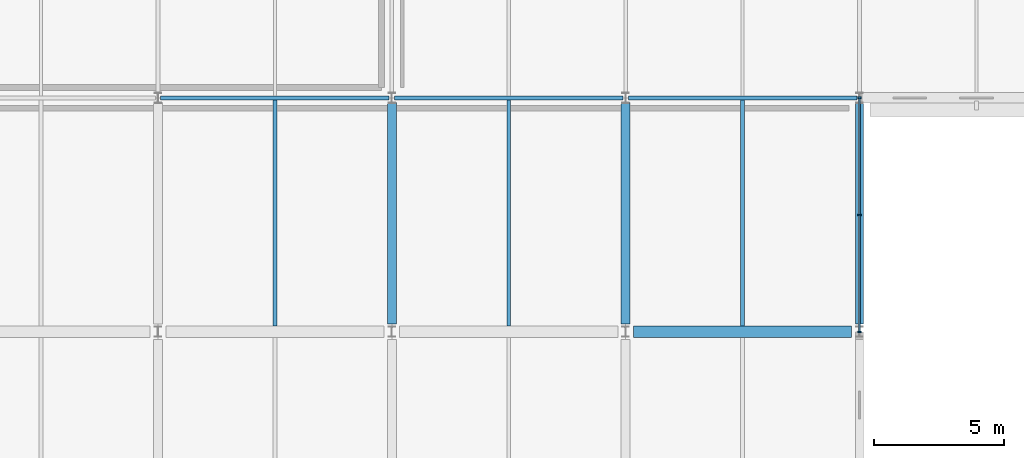
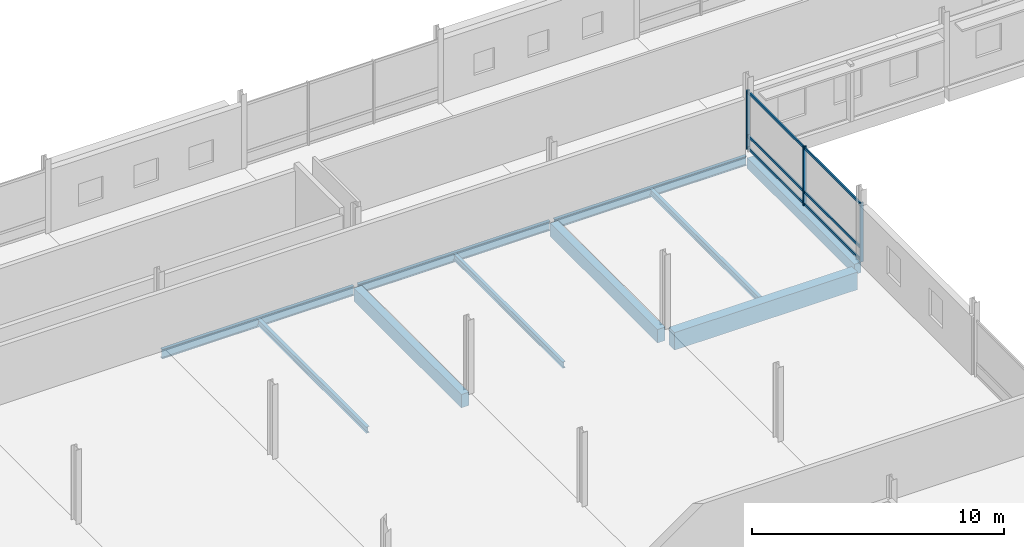
# One storey, part 51 of 132: 10 beams, 9 members, 1 element without a shape of its own.
"""IFC4 building model written with IfcOpenShell, lengths in metres."""

from ifc_helpers import new_model, si_unit, direction, frame, origin, origin_2d, place, context, subcontext, project, spatial, rectangle, i_section, extrude, material, material_profile, profile_set, type_object, element, aggregate, save


model = new_model("IFC4")

# Units and contexts
model_context = context("Model", 3, precision=1e-05, world=origin(), true_north=direction((0.0, 1.0)))
body_context = subcontext(model_context, "Body", "Model", "MODEL_VIEW")
ifc_project = project(units=[si_unit("LENGTHUNIT", "METRE"), si_unit("AREAUNIT", "SQUARE_METRE"), si_unit("VOLUMEUNIT", "CUBIC_METRE"), si_unit("PLANEANGLEUNIT", "RADIAN"), si_unit("MASSUNIT", "GRAM", prefix="KILO")], contexts=[model_context])

# Site, building, storey
site_placement = place(None, origin())
site = spatial("IfcSite", under=ifc_project, at=site_placement, CompositionType="ELEMENT")
building_placement = place(site_placement, origin())
building = spatial("IfcBuilding", under=site, at=building_placement, Name="Tharagai Park Tramway Depot", CompositionType="ELEMENT")
storey_placement = place(building_placement, frame((0.0, 0.0, 4.800048828125)))
storey = spatial("IfcBuildingStorey", under=building, at=storey_placement, Name="L01", CompositionType="ELEMENT", Elevation=4.800048828125)

# Beams
ifc_material_1 = material(Name="Steel E350", Category="steel")
ifc_material_profile_1 = material_profile(ifc_material_1, i_section(OverallWidth=0.14990234375, OverallDepth=0.449951171875, WebThickness=0.009521484375, FlangeThickness=0.017333984375, FilletRadius=0.014892578125, at=origin_2d()), Name="ISMB 450")
ifc_profile_set_1 = profile_set([ifc_material_profile_1], Name="Steel E350")
beam_type_1 = type_object("IfcBeamType", Name="BM-02", PredefinedType="BEAM", material=ifc_profile_set_1)
for number, where, z_axis, x_axis, name in (
    (1, (63.10009765625, 90.0, -0.505126953125), (1.0, 0.0, 0.0), (0.0, 1.0, 0.0), "L01 Grid Beam BM-02"),
    (2, (72.10009765625, 90.0, -0.505126953125), (1.0, 0.0, 0.0), (0.0, 1.0, 0.0), "L01 Grid Beam BM-02"),
    (3, (81.10009765625, 90.0, -0.505126953125), (1.0, 0.0, 0.0), (0.0, 1.0, 0.0), "L01 Grid Beam BM-02"),
):
    element("IfcBeam", number, at=place(storey_placement, frame(where, z_axis=z_axis, x_axis=x_axis)), inside=storey, type_object=beam_type_1, Name=name, PredefinedType="BEAM", context=body_context, shape_type="SweptSolid", body=[
        extrude(i_section(OverallWidth=0.14990234375, OverallDepth=0.449951171875, WebThickness=0.009521484375, FlangeThickness=0.017333984375, FilletRadius=0.014892578125, at=origin_2d()), origin(), (0.0, 0.0, 1.0), 8.7998046875),
    ])
ifc_material_2 = material(Name="Concrete M35", Category="concrete")
ifc_material_profile_2 = material_profile(ifc_material_2, rectangle(XDim=0.449951171875, YDim=0.85009765625, at=origin_2d()), Name="RC 450x850")
ifc_profile_set_2 = profile_set([ifc_material_profile_2], Name="Concrete M35")
beam_type_2 = type_object("IfcBeamType", Name="BM-03", PredefinedType="BEAM", material=ifc_profile_set_2)
beam_1_placement = place(storey_placement, frame((81.300048828125, 81.0, -0.705078125), z_axis=(1.0, 0.0, 0.0), x_axis=(0.0, 1.0, 0.0)))
element("IfcBeam", 4, at=beam_1_placement, inside=storey, type_object=beam_type_2, Name="L01 Grid Beam BM-03", PredefinedType="BEAM", context=body_context, shape_type="SweptSolid", body=[
    extrude(rectangle(XDim=0.449951171875, YDim=0.85009765625, at=origin_2d()), origin(), (0.0, 0.0, 1.0), 8.39990234375),
])
ifc_material_profile_3 = material_profile(ifc_material_2, rectangle(XDim=0.35009765625, YDim=0.64990234375, at=origin_2d()), Name="RC 350x650")
ifc_profile_set_3 = profile_set([ifc_material_profile_3], Name="Concrete M35")
beam_type_3 = type_object("IfcBeamType", Name="BM-13", PredefinedType="BEAM", material=ifc_profile_set_3)
for number, where, z_axis, x_axis, name in (
    (5, (72.0, 81.300048828125, -0.60498046875), (0.0, 1.0, 0.0), (-1.0, 0.0, 0.0), "L01 Grid Beam BM-13"),
    (6, (81.0, 81.300048828125, -0.60498046875), (0.0, 1.0, 0.0), (-1.0, 0.0, 0.0), "L01 Grid Beam BM-13"),
):
    element("IfcBeam", number, at=place(storey_placement, frame(where, z_axis=z_axis, x_axis=x_axis)), inside=storey, type_object=beam_type_3, Name=name, PredefinedType="BEAM", context=body_context, shape_type="SweptSolid", body=[
        extrude(rectangle(XDim=0.35009765625, YDim=0.64990234375, at=origin_2d()), origin(), (0.0, 0.0, 1.0), 8.52490234375),
    ])

# Curtain wall, members
ifc_material_3 = material(Name="Anodised aluminium", Category="aluminium")
curtain_wall_type = type_object("IfcCurtainWallType", Name="CW-07", PredefinedType="NOTDEFINED", material=ifc_material_3)
curtain_wall_placement = place(storey_placement, origin())
curtain_wall = element("IfcCurtainWall", 7, at=curtain_wall_placement, inside=storey, type_object=curtain_wall_type, Name="L01 V2 Side Mullioned Curtain Wall CW-07", PredefinedType="NOTDEFINED")
ifc_material_profile_4 = material_profile(ifc_material_3, rectangle(XDim=0.06494140625, YDim=0.1201171875, at=origin_2d()), Name="ALU 65x120")
ifc_profile_set_4 = profile_set([ifc_material_profile_4], Name="Anodised aluminium")
member_type_1 = type_object("IfcMemberType", Name="CM-01", PredefinedType="USERDEFINED", material=ifc_profile_set_4)
member_1_placement = place(storey_placement, frame((90.0, 81.010986328125, 0.06005859375), z_axis=(0.0, 1.0, 0.0), x_axis=(-1.0, 0.0, 0.0)))
member_1 = element("IfcMember", 8, at=member_1_placement, type_object=member_type_1, Name="L01 V2 Side Mullioned Curtain Wall Transom 1.1", ObjectType="TRANSOM", PredefinedType="USERDEFINED", context=body_context, shape_type="SweptSolid", body=[
    extrude(rectangle(XDim=0.06494140625, YDim=0.1201171875, at=origin_2d()), origin(), (0.0, 0.0, 1.0), 4.47412109375),
])
member_2_placement = place(storey_placement, frame((90.0, 81.010986328125, 0.64990234375), z_axis=(0.0, 1.0, 0.0), x_axis=(-1.0, 0.0, 0.0)))
member_2 = element("IfcMember", 9, at=member_2_placement, type_object=member_type_1, Name="L01 V2 Side Mullioned Curtain Wall Transom 1.2", ObjectType="TRANSOM", PredefinedType="USERDEFINED", context=body_context, shape_type="SweptSolid", body=[
    extrude(rectangle(XDim=0.06494140625, YDim=0.1201171875, at=origin_2d()), origin(), (0.0, 0.0, 1.0), 4.47412109375),
])
member_3_placement = place(storey_placement, frame((90.0, 81.010986328125, 2.77001953125), z_axis=(0.0, 1.0, 0.0), x_axis=(-1.0, 0.0, 0.0)))
member_3 = element("IfcMember", 10, at=member_3_placement, type_object=member_type_1, Name="L01 V2 Side Mullioned Curtain Wall Transom 1.3", ObjectType="TRANSOM", PredefinedType="USERDEFINED", context=body_context, shape_type="SweptSolid", body=[
    extrude(rectangle(XDim=0.06494140625, YDim=0.1201171875, at=origin_2d()), origin(), (0.0, 0.0, 1.0), 4.47412109375),
])
member_4_placement = place(storey_placement, frame((90.0, 85.514892578125, 0.06005859375), z_axis=(0.0, 1.0, 0.0), x_axis=(-1.0, 0.0, 0.0)))
member_4 = element("IfcMember", 11, at=member_4_placement, type_object=member_type_1, Name="L01 V2 Side Mullioned Curtain Wall Transom 2.1", ObjectType="TRANSOM", PredefinedType="USERDEFINED", context=body_context, shape_type="SweptSolid", body=[
    extrude(rectangle(XDim=0.06494140625, YDim=0.1201171875, at=origin_2d()), origin(), (0.0, 0.0, 1.0), 4.47412109375),
])
member_5_placement = place(storey_placement, frame((90.0, 85.514892578125, 0.64990234375), z_axis=(0.0, 1.0, 0.0), x_axis=(-1.0, 0.0, 0.0)))
member_5 = element("IfcMember", 12, at=member_5_placement, type_object=member_type_1, Name="L01 V2 Side Mullioned Curtain Wall Transom 2.2", ObjectType="TRANSOM", PredefinedType="USERDEFINED", context=body_context, shape_type="SweptSolid", body=[
    extrude(rectangle(XDim=0.06494140625, YDim=0.1201171875, at=origin_2d()), origin(), (0.0, 0.0, 1.0), 4.47412109375),
])
member_6_placement = place(storey_placement, frame((90.0, 85.514892578125, 2.77001953125), z_axis=(0.0, 1.0, 0.0), x_axis=(-1.0, 0.0, 0.0)))
member_6 = element("IfcMember", 13, at=member_6_placement, type_object=member_type_1, Name="L01 V2 Side Mullioned Curtain Wall Transom 2.3", ObjectType="TRANSOM", PredefinedType="USERDEFINED", context=body_context, shape_type="SweptSolid", body=[
    extrude(rectangle(XDim=0.06494140625, YDim=0.1201171875, at=origin_2d()), origin(), (0.0, 0.0, 1.0), 4.47412109375),
])
ifc_material_profile_5 = material_profile(ifc_material_3, rectangle(XDim=0.06494140625, YDim=0.14990234375, at=origin_2d()), Name="ALU 65x150")
ifc_profile_set_5 = profile_set([ifc_material_profile_5], Name="Anodised aluminium")
member_type_2 = type_object("IfcMemberType", Name="CM-03", PredefinedType="MULLION", material=ifc_profile_set_5)
member_7_placement = place(storey_placement, frame((90.0, 80.99609375, -0.005126953125), z_axis=(0.0, 0.0, 1.0), x_axis=(0.0, 1.0, 0.0)))
member_7 = element("IfcMember", 14, at=member_7_placement, type_object=member_type_2, Name="L01 V2 Side Mullioned Curtain Wall Mullion 1", PredefinedType="MULLION", context=body_context, shape_type="SweptSolid", body=[
    extrude(rectangle(XDim=0.06494140625, YDim=0.14990234375, at=origin_2d()), origin(), (0.0, 0.0, 1.0), 2.860107421875),
])
member_8_placement = place(storey_placement, frame((90.0, 85.5, -0.005126953125), z_axis=(0.0, 0.0, 1.0), x_axis=(0.0, 1.0, 0.0)))
member_8 = element("IfcMember", 15, at=member_8_placement, type_object=member_type_2, Name="L01 V2 Side Mullioned Curtain Wall Mullion 2", PredefinedType="MULLION", context=body_context, shape_type="SweptSolid", body=[
    extrude(rectangle(XDim=0.06494140625, YDim=0.14990234375, at=origin_2d()), origin(), (0.0, 0.0, 1.0), 2.860107421875),
])
member_9_placement = place(storey_placement, frame((90.0, 90.00390625, -0.005126953125), z_axis=(0.0, 0.0, 1.0), x_axis=(0.0, 1.0, 0.0)))
member_9 = element("IfcMember", 16, at=member_9_placement, type_object=member_type_2, Name="L01 V2 Side Mullioned Curtain Wall Mullion 3", PredefinedType="MULLION", context=body_context, shape_type="SweptSolid", body=[
    extrude(rectangle(XDim=0.06494140625, YDim=0.14990234375, at=origin_2d()), origin(), (0.0, 0.0, 1.0), 2.860107421875),
])
aggregate(curtain_wall, [member_7, member_8, member_9, member_1, member_2, member_3, member_4, member_5, member_6])

# Beams
ifc_material_profile_6 = material_profile(ifc_material_1, i_section(OverallWidth=0.139892578125, OverallDepth=0.300048828125, WebThickness=0.0078125, FlangeThickness=0.01318359375, FilletRadius=0.013916015625, at=origin_2d()), Name="ISMB 300")
ifc_profile_set_6 = profile_set([ifc_material_profile_6], Name="Steel E350")
beam_type_4 = type_object("IfcBeamType", Name="JT-03", PredefinedType="JOIST", material=ifc_profile_set_6)
beam_2_placement = place(storey_placement, frame((76.5, 81.22509765625, -0.429931640625), z_axis=(0.0, 1.0, 0.0), x_axis=(-1.0, 0.0, 0.0)))
element("IfcBeam", 17, at=beam_2_placement, inside=storey, type_object=beam_type_4, Name="L01 Secondary Joist JT-03", PredefinedType="JOIST", context=body_context, shape_type="SweptSolid", body=[
    extrude(i_section(OverallWidth=0.139892578125, OverallDepth=0.300048828125, WebThickness=0.0078125, FlangeThickness=0.01318359375, FilletRadius=0.013916015625, at=origin_2d()), origin(), (0.0, 0.0, 1.0), 8.699951171875),
])
ifc_material_profile_7 = material_profile(ifc_material_1, i_section(OverallWidth=0.14990234375, OverallDepth=0.300048828125, WebThickness=0.006591796875, FlangeThickness=0.009521484375, FilletRadius=0.011962890625, at=origin_2d()), Name="ISLB 300")
ifc_profile_set_7 = profile_set([ifc_material_profile_7], Name="Steel E350")
beam_type_5 = type_object("IfcBeamType", Name="JT-07", PredefinedType="JOIST", material=ifc_profile_set_7)
for number, where, z_axis, x_axis, name in (
    (18, (67.5, 81.22509765625, -0.429931640625), (0.0, 1.0, 0.0), (-1.0, 0.0, 0.0), "L01 Secondary Joist JT-07"),
    (19, (85.5, 81.22509765625, -0.429931640625), (0.0, 1.0, 0.0), (-1.0, 0.0, 0.0), "L01 Secondary Joist JT-07"),
):
    element("IfcBeam", number, at=place(storey_placement, frame(where, z_axis=z_axis, x_axis=x_axis)), inside=storey, type_object=beam_type_5, Name=name, PredefinedType="JOIST", context=body_context, shape_type="SweptSolid", body=[
        extrude(i_section(OverallWidth=0.14990234375, OverallDepth=0.300048828125, WebThickness=0.006591796875, FlangeThickness=0.009521484375, FilletRadius=0.011962890625, at=origin_2d()), origin(), (0.0, 0.0, 1.0), 8.699951171875),
    ])
ifc_material_profile_8 = material_profile(ifc_material_2, rectangle(XDim=0.300048828125, YDim=0.5, at=origin_2d()), Name="RC 300x500")
ifc_profile_set_8 = profile_set([ifc_material_profile_8], Name="Concrete M35")
beam_type_6 = type_object("IfcBeamType", Name="SP-03", PredefinedType="SPANDREL", material=ifc_profile_set_8)
beam_3_placement = place(storey_placement, frame((90.0, 81.300048828125, -0.530029296875), z_axis=(0.0, 1.0, 0.0), x_axis=(-1.0, 0.0, 0.0)))
element("IfcBeam", 20, at=beam_3_placement, inside=storey, type_object=beam_type_6, Name="L01 Grid Beam SP-03", PredefinedType="SPANDREL", context=body_context, shape_type="SweptSolid", body=[
    extrude(rectangle(XDim=0.300048828125, YDim=0.5, at=origin_2d()), origin(), (0.0, 0.0, 1.0), 8.52490234375),
])

save(model, "model.ifc")
